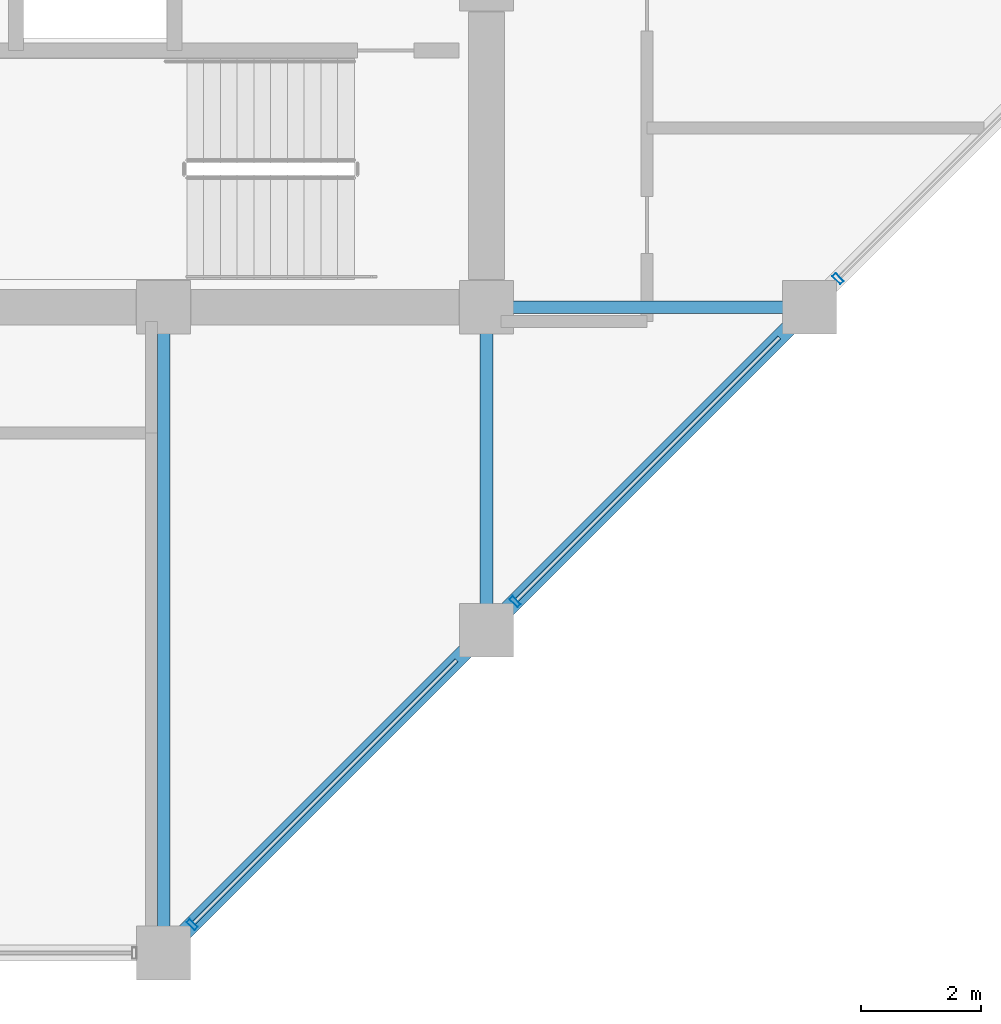
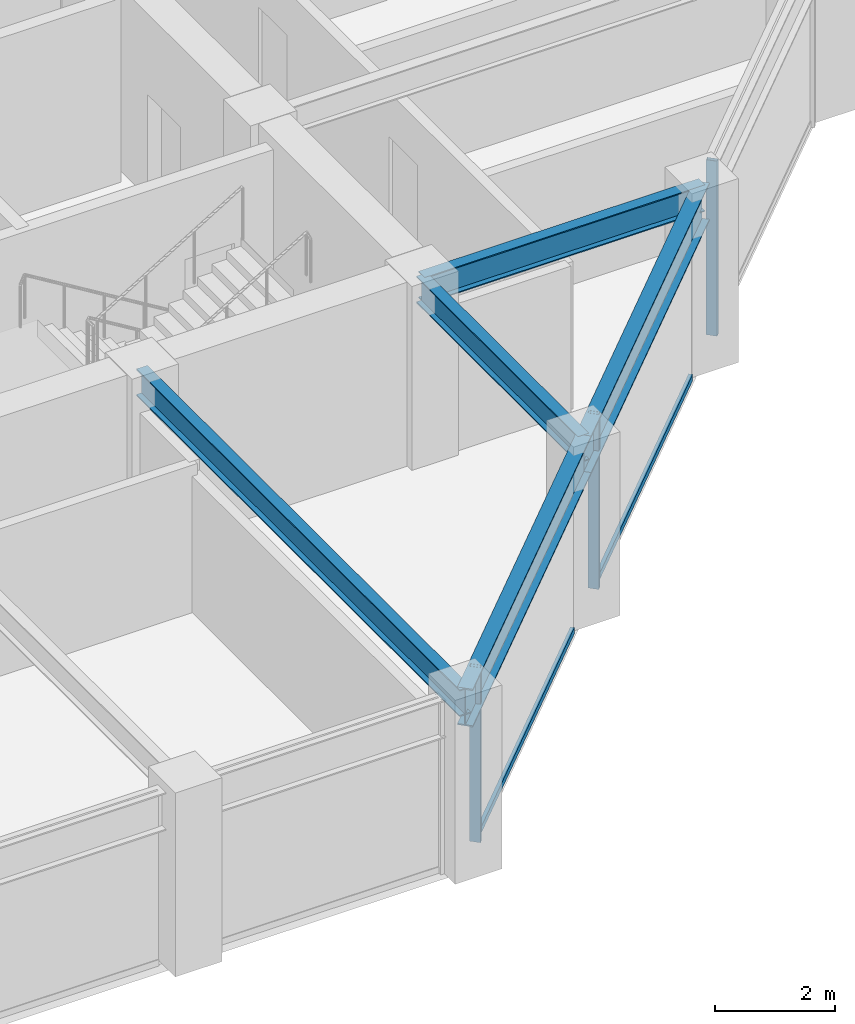
# One storey, part 12 of 32: 5 beams, 5 members, 1 element without a shape of its own.
"""IFC4 building model written with IfcOpenShell, lengths in metres."""

import ifcopenshell
import ifcopenshell.guid

model = None  # the IFC model being written
_history = None  # IfcOwnerHistory: only IFC2X3 demands one
_inside = {}  # id of a spatial element -> (the spatial element, [elements in it])
_under = {}  # id of a project, library or spatial element -> (it, [spatial elements below it])
_declared = {}  # id of a project -> (the project, [libraries it declares])
_typed = {}  # id of a type object -> (the type object, [elements of that type])
_made_of = {}  # id of a material, layer set ... -> (it, [elements and type objects made of it])


def new_model(schema):
    """Start an empty IFC model of exactly this schema.

    Asked for "IFC4X3", IfcOpenShell would pick the latest addendum, in which some entities
    have other attributes; the version numbers below select the first issue.
    IFC2X3 requires an IfcOwnerHistory on every rooted entity: one is made here for all.
    """
    global model, _history
    if schema == "IFC4X3":
        model = ifcopenshell.file(schema_version=(4, 3, 0, 0))
    else:
        model = ifcopenshell.file(schema=schema)
    _inside.clear()
    _under.clear()
    _declared.clear()
    _typed.clear()
    _made_of.clear()
    _history = None
    if model.schema == "IFC2X3":
        org = make("IfcOrganization", Name="unknown")
        user = make(
            "IfcPersonAndOrganization",
            ThePerson=make("IfcPerson", FamilyName="unknown"),
            TheOrganization=org,
        )
        app = make(
            "IfcApplication",
            ApplicationDeveloper=org,
            Version="unknown",
            ApplicationFullName="unknown",
            ApplicationIdentifier="unknown",
        )
        _history = make(
            "IfcOwnerHistory",
            OwningUser=user,
            OwningApplication=app,
            ChangeAction="ADDED",
            CreationDate=0,
        )
    return model


def make(cls, **values):
    """One entity of the class cls with the attributes given. An attribute that is None is left unset."""
    return model.create_entity(
        cls, **{name: value for name, value in values.items() if value is not None}
    )


def rooted(cls, **values):
    """An entity with a GlobalId (a new one), such as an element, a storey or a relation."""
    return make(cls, GlobalId=ifcopenshell.guid.new(), OwnerHistory=_history, **values)


def si_unit(unit_type, name, prefix=None):
    """IfcSIUnit, for example si_unit("LENGTHUNIT", "METRE", prefix="MILLI")."""
    return make("IfcSIUnit", UnitType=unit_type, Prefix=prefix, Name=name)


def assignment(units):
    """IfcUnitAssignment: the units of a project."""
    return None if units is None else make("IfcUnitAssignment", Units=units)


def point(xyz):
    """IfcCartesianPoint."""
    return None if xyz is None else make("IfcCartesianPoint", Coordinates=xyz)


def direction(xyz):
    """IfcDirection."""
    return None if xyz is None else make("IfcDirection", DirectionRatios=xyz)


def frame(location, z_axis=None, x_axis=None):
    """IfcAxis2Placement3D, a coordinate frame: its origin and axes. An axis left out is left unset."""
    return make(
        "IfcAxis2Placement3D",
        Location=point(location),
        Axis=direction(z_axis),
        RefDirection=direction(x_axis),
    )


def frame_2d(location, x_axis=None):
    """IfcAxis2Placement2D, a coordinate frame in the plane: its origin and x axis."""
    return make(
        "IfcAxis2Placement2D", Location=point(location), RefDirection=direction(x_axis)
    )


def origin():
    """The frame at (0, 0, 0) with its axes left unset."""
    return frame((0.0, 0.0, 0.0))


def origin_2d():
    """The frame at (0, 0) in the plane with its x axis left unset."""
    return frame_2d((0.0, 0.0))


def place(relative_to, where):
    """IfcLocalPlacement: puts the frame where relative to a parent placement (None: the world)."""
    return make(
        "IfcLocalPlacement", PlacementRelTo=relative_to, RelativePlacement=where
    )


def context(
    kind, dimensions, precision=None, world=None, true_north=None, identifier=None
):
    """IfcGeometricRepresentationContext, for example the 3D "Model" context."""
    return make(
        "IfcGeometricRepresentationContext",
        ContextIdentifier=identifier,
        ContextType=kind,
        CoordinateSpaceDimension=dimensions,
        Precision=precision,
        WorldCoordinateSystem=world,
        TrueNorth=true_north,
    )


def subcontext(parent, identifier, kind, view, scale=None):
    """IfcGeometricRepresentationSubContext, for example "Body" below "Model"."""
    return make(
        "IfcGeometricRepresentationSubContext",
        ContextIdentifier=identifier,
        ContextType=kind,
        ParentContext=parent,
        TargetScale=scale,
        TargetView=view,
    )


def project(units=None, contexts=None):
    """IfcProject with its units and contexts."""
    return rooted(
        "IfcProject",
        Name="project",
        RepresentationContexts=contexts,
        UnitsInContext=assignment(units),
    )


def spatial(cls, under=None, at=None, **own):
    """A site, building, storey or space (cls), placed at a placement, below another one or the project."""
    s = rooted(cls, ObjectPlacement=at, **own)
    if under is not None:
        _under.setdefault(under.id(), (under, []))[1].append(s)
    return s


def profile(cls, at=None, kind="AREA", **sizes):
    """A parametric profile (cls). Its sizes go by their IFC names, for example OverallWidth=200.0."""
    return make(cls, ProfileType=kind, Position=at, **sizes)


def hollow_rectangle(**sizes):
    """IfcRectangleHollowProfileDef."""
    return profile("IfcRectangleHollowProfileDef", **sizes)


def i_section(**sizes):
    """IfcIShapeProfileDef."""
    return profile("IfcIShapeProfileDef", **sizes)


def extrude(swept, where, along, depth):
    """IfcExtrudedAreaSolid: the profile swept, set in the frame where, extruded along a direction by depth."""
    return make(
        "IfcExtrudedAreaSolid",
        SweptArea=swept,
        Position=where,
        ExtrudedDirection=direction(along),
        Depth=depth,
    )


def shape(context_of_items, identifier, shape_type, items):
    """IfcShapeRepresentation: the items that make up one representation, for example the "Body"."""
    return make(
        "IfcShapeRepresentation",
        ContextOfItems=context_of_items,
        RepresentationIdentifier=identifier,
        RepresentationType=shape_type,
        Items=items,
    )


def material(Name=None, Category=None):
    """IfcMaterial."""
    return make("IfcMaterial", Name=Name, Category=Category)


def layer(
    of_material, thickness, ventilated=None, Name=None, Category=None, Priority=None
):
    """IfcMaterialLayer: one layer of a wall or slab, of a material (None: an air gap)."""
    return make(
        "IfcMaterialLayer",
        Material=of_material,
        LayerThickness=thickness,
        IsVentilated=ventilated,
        Name=Name,
        Category=Category,
        Priority=Priority,
    )


def layer_set(layers, Name=None):
    """IfcMaterialLayerSet."""
    return make("IfcMaterialLayerSet", MaterialLayers=layers, LayerSetName=Name)


def material_profile(
    of_material, cross_section, Name=None, Category=None, Priority=None
):
    """IfcMaterialProfile: a cross section and its material."""
    return make(
        "IfcMaterialProfile",
        Name=Name,
        Material=of_material,
        Profile=cross_section,
        Priority=Priority,
        Category=Category,
    )


def profile_set(profiles, Name=None, composite=None):
    """IfcMaterialProfileSet."""
    return make(
        "IfcMaterialProfileSet",
        Name=Name,
        MaterialProfiles=profiles,
        CompositeProfile=composite,
    )


def made_of(thing, what):
    """Note that an element or type object is made of a material, layer set ...; save() writes the relation."""
    if what is not None:
        _made_of.setdefault(what.id(), (what, []))[1].append(thing)
    return thing


def type_object(cls, material=None, **own):
    """A type object (cls), such as IfcWallType, which elements share."""
    return made_of(rooted(cls, **own), material)


def element(
    cls,
    number,
    at=None,
    inside=None,
    cuts=None,
    type_object=None,
    material=None,
    context=None,
    identifier="Body",
    shape_type=None,
    held_by="IfcProductDefinitionShape",
    body=None,
    shapes=None,
    **own,
):
    """One element of the class cls, such as IfcWall. Its Tag is "e" and its number.

    at: its placement. inside: the storey or other place that contains it. cuts: it is an
    opening in that element (IfcRelVoidsElement). A single representation is given by context,
    identifier, shape_type and body (its items); several are given by shapes. held_by: the class
    of the entity that holds the representations. save() writes the other relations.
    """
    e = rooted(cls, Tag="e%d" % number, ObjectPlacement=at, **own)
    if body is not None:
        shapes = [shape(context, identifier, shape_type, body)]
    if shapes is not None:
        e.Representation = make(held_by, Representations=shapes)
    if inside is not None:
        _inside.setdefault(inside.id(), (inside, []))[1].append(e)
    if cuts is not None:
        rooted(
            "IfcRelVoidsElement", RelatingBuildingElement=cuts, RelatedOpeningElement=e
        )
    if type_object is not None:
        _typed.setdefault(type_object.id(), (type_object, []))[1].append(e)
    return made_of(e, material)


def aggregate(whole, parts):
    """IfcRelAggregates: a whole, such as a stair, and the parts it consists of."""
    return rooted("IfcRelAggregates", RelatingObject=whole, RelatedObjects=parts)


def save(model, path):
    """Write the relations noted so far, then the file.

    IfcRelAggregates (storeys below a building ...), IfcRelContainedInSpatialStructure (elements
    in a storey), IfcRelDefinesByType, IfcRelAssociatesMaterial and IfcRelDeclares: one each for
    every whole, place, type object, material and project.
    """
    for whole, parts in _under.values():
        aggregate(whole, parts)
    for where, things in _inside.values():
        rooted(
            "IfcRelContainedInSpatialStructure",
            RelatedElements=things,
            RelatingStructure=where,
        )
    for kind, things in _typed.values():
        rooted("IfcRelDefinesByType", RelatedObjects=things, RelatingType=kind)
    for what, things in _made_of.values():
        rooted("IfcRelAssociatesMaterial", RelatedObjects=things, RelatingMaterial=what)
    for by, libraries in _declared.values():
        rooted("IfcRelDeclares", RelatingContext=by, RelatedDefinitions=libraries)
    model.write(path)


model = new_model("IFC4")

# Units and contexts
model_context = context("Model", 3, precision=1e-05, world=origin(), true_north=direction((0.0, 1.0)))
body_context = subcontext(model_context, "Body", "Model", "MODEL_VIEW")
ifc_project = project(units=[si_unit("LENGTHUNIT", "METRE"), si_unit("AREAUNIT", "SQUARE_METRE"), si_unit("VOLUMEUNIT", "CUBIC_METRE"), si_unit("PLANEANGLEUNIT", "RADIAN"), si_unit("MASSUNIT", "GRAM", prefix="KILO")], contexts=[model_context])

# Site, building, storey
site_placement = place(None, origin())
site = spatial("IfcSite", under=ifc_project, at=site_placement, CompositionType="ELEMENT")
building_placement = place(site_placement, origin())
building = spatial("IfcBuilding", under=site, at=building_placement, Name="Surkhivell Harbour Commons", CompositionType="ELEMENT")
storey_placement = place(building_placement, frame((0.0, 0.0, 208.5)))
storey = spatial("IfcBuildingStorey", under=building, at=storey_placement, Name="L54", CompositionType="ELEMENT", Elevation=208.5)

# Beams
ifc_material_1 = material(Name="Steel S355", Category="steel")
ifc_material_profile_1 = material_profile(ifc_material_1, i_section(OverallWidth=0.2119140625, OverallDepth=0.5439453125, WebThickness=0.0126953125, FlangeThickness=0.021240234375, at=origin_2d()), Name="UB533x210x122")
ifc_profile_set_1 = profile_set([ifc_material_profile_1], Name="Steel S355")
beam_type_1 = type_object("IfcBeamType", Name="BM-GRD-533A", PredefinedType="BEAM", material=ifc_profile_set_1)
beam_1_placement = place(storey_placement, frame((5.39990234375, -21.60009765625, 3.298095703125), z_axis=(0.0, 1.0, 0.0), x_axis=(-1.0, 0.0, 0.0)))
element("IfcBeam", 1, at=beam_1_placement, inside=storey, type_object=beam_type_1, Name="L54 Floor Girder (5.4,-21.6)", PredefinedType="BEAM", context=body_context, shape_type="SweptSolid", body=[
    extrude(i_section(OverallWidth=0.2119140625, OverallDepth=0.5439453125, WebThickness=0.0126953125, FlangeThickness=0.021240234375, at=origin_2d()), origin(), (0.0, 0.0, 1.0), 10.800048828125),
])
for number, where, z_axis, x_axis, name in (
    (2, (10.800048828125, -16.199951171875, 3.298095703125), (0.0, 1.0, 0.0), (-1.0, 0.0, 0.0), "L54 Floor Girder (10.8,-16.2)"),
    (3, (10.800048828125, -10.800048828125, 3.298095703125), (1.0, 0.0, 0.0), (0.0, 1.0, 0.0), "L54 Floor Girder (10.8,-10.8)"),
):
    element("IfcBeam", number, at=place(storey_placement, frame(where, z_axis=z_axis, x_axis=x_axis)), inside=storey, type_object=beam_type_1, Name=name, PredefinedType="BEAM", context=body_context, shape_type="SweptSolid", body=[
        extrude(i_section(OverallWidth=0.2119140625, OverallDepth=0.5439453125, WebThickness=0.0126953125, FlangeThickness=0.021240234375, at=origin_2d()), origin(), (0.0, 0.0, 1.0), 5.39990234375),
    ])
ifc_material_profile_2 = material_profile(ifc_material_1, i_section(OverallWidth=0.26806640625, OverallDepth=0.77001953125, WebThickness=0.015625, FlangeThickness=0.025390625, at=origin_2d()), Name="UB762x267x197")
ifc_profile_set_2 = profile_set([ifc_material_profile_2], Name="Steel S355")
beam_type_2 = type_object("IfcBeamType", Name="BM-SPN-762", PredefinedType="SPANDREL", material=ifc_profile_set_2)
beam_2_placement = place(storey_placement, frame((5.39990234375, -21.60009765625, 3.18505859375), z_axis=(0.707106781187, 0.707106781187, 0.0), x_axis=(-0.707106781187, 0.707106781187, 0.0)))
element("IfcBeam", 4, at=beam_2_placement, inside=storey, type_object=beam_type_2, Name="L54 Tube Spandrel (5.4,-21.6)", PredefinedType="SPANDREL", context=body_context, shape_type="SweptSolid", body=[
    extrude(i_section(OverallWidth=0.26806640625, OverallDepth=0.77001953125, WebThickness=0.015625, FlangeThickness=0.025390625, at=origin_2d()), origin(), (0.0, 0.0, 1.0), 7.636962890625),
])
beam_3_placement = place(storey_placement, frame((10.800048828125, -16.199951171875, 3.18505859375), z_axis=(0.707106781187, 0.707106781187, 0.0), x_axis=(-0.707106781187, 0.707106781187, 0.0)))
element("IfcBeam", 5, at=beam_3_placement, inside=storey, type_object=beam_type_2, Name="L54 Tube Spandrel (10.8,-16.2)", PredefinedType="SPANDREL", context=body_context, shape_type="SweptSolid", body=[
    extrude(i_section(OverallWidth=0.26806640625, OverallDepth=0.77001953125, WebThickness=0.015625, FlangeThickness=0.025390625, at=origin_2d()), origin(), (0.0, 0.0, 1.0), 7.63671875),
])

# Curtain wall, members
ifc_material_2 = material(Name="Anodised pale-metal aluminium and insulated glazing", Category="aluminium")
ifc_layer = layer(ifc_material_2, 0.18994140625)
ifc_layer_set = layer_set([ifc_layer], Name="Anodised pale-metal aluminium and insulated glazing")
curtain_wall_type = type_object("IfcCurtainWallType", Name="CW-SYS-Z3", PredefinedType="NOTDEFINED", material=ifc_layer_set)
curtain_wall_placement = place(storey_placement, origin())
curtain_wall = element("IfcCurtainWall", 6, at=curtain_wall_placement, inside=storey, type_object=curtain_wall_type, Name="L54 Curtain Wall CW-L54-E01", PredefinedType="NOTDEFINED")
ifc_material_3 = material(Name="Anodised pale-metal aluminium alloy 6063-T6", Category="aluminium")
ifc_material_profile_3 = material_profile(ifc_material_3, hollow_rectangle(XDim=0.074951171875, YDim=0.18994140625, WallThickness=0.00390625, at=origin_2d()), Name="ALU-MULL-75x190")
ifc_profile_set_3 = profile_set([ifc_material_profile_3], Name="Anodised pale-metal aluminium alloy 6063-T6")
member_type_1 = type_object("IfcMemberType", Name="CWM-190", PredefinedType="MULLION", material=ifc_profile_set_3)
member_1_placement = place(storey_placement, frame((5.878173828125, -21.121826171875, 0.0), z_axis=(0.0, 0.0, 1.0), x_axis=(0.707106781187, 0.707106781187, 0.0)))
member_1 = element("IfcMember", 7, at=member_1_placement, type_object=member_type_1, Name="CW-Z3 mullion 1", PredefinedType="MULLION", context=body_context, shape_type="SweptSolid", body=[
    extrude(hollow_rectangle(XDim=0.074951171875, YDim=0.18994140625, WallThickness=0.00390625, at=origin_2d()), origin(), (0.0, 0.0, 1.0), 3.570068359375),
])
member_2_placement = place(storey_placement, frame((11.278076171875, -15.721923828125, 0.0), z_axis=(0.0, 0.0, 1.0), x_axis=(0.707106781187, 0.707106781187, 0.0)))
member_2 = element("IfcMember", 8, at=member_2_placement, type_object=member_type_1, Name="CW-Z3 mullion 2", PredefinedType="MULLION", context=body_context, shape_type="SweptSolid", body=[
    extrude(hollow_rectangle(XDim=0.074951171875, YDim=0.18994140625, WallThickness=0.00390625, at=origin_2d()), origin(), (0.0, 0.0, 1.0), 3.570068359375),
])
member_3_placement = place(storey_placement, frame((16.67822265625, -10.32177734375, 0.0), z_axis=(0.0, 0.0, 1.0), x_axis=(0.707106781187, 0.707106781187, 0.0)))
member_3 = element("IfcMember", 9, at=member_3_placement, type_object=member_type_1, Name="CW-Z3 mullion 3", PredefinedType="MULLION", context=body_context, shape_type="SweptSolid", body=[
    extrude(hollow_rectangle(XDim=0.074951171875, YDim=0.18994140625, WallThickness=0.00390625, at=origin_2d()), origin(), (0.0, 0.0, 1.0), 3.570068359375),
])
ifc_material_4 = material(Name="Champagne anodised aluminium alloy 6063-T6", Category="aluminium")
ifc_material_profile_4 = material_profile(ifc_material_4, hollow_rectangle(XDim=0.070068359375, YDim=0.1298828125, WallThickness=0.00341796875, at=origin_2d()), Name="ALU-TRAN-70x130")
ifc_profile_set_4 = profile_set([ifc_material_profile_4], Name="Champagne anodised aluminium alloy 6063-T6")
member_type_2 = type_object("IfcMemberType", Name="CWT-130", PredefinedType="USERDEFINED", material=ifc_profile_set_4)
member_4_placement = place(storey_placement, frame((5.90478515625, -21.09521484375, 0.06494140625), z_axis=(0.707106781187, 0.707106781187, 0.0), x_axis=(-0.707106781187, 0.707106781187, 0.0)))
member_4 = element("IfcMember", 10, at=member_4_placement, type_object=member_type_2, Name="CW-Z3 transom 1.1", ObjectType="TRANSOM", PredefinedType="USERDEFINED", context=body_context, shape_type="SweptSolid", body=[
    extrude(hollow_rectangle(XDim=0.070068359375, YDim=0.1298828125, WallThickness=0.00341796875, at=origin_2d()), origin(), (0.0, 0.0, 1.0), 6.209228515625),
])
member_5_placement = place(storey_placement, frame((11.3046875, -15.6953125, 0.06494140625), z_axis=(0.707106781187, 0.707106781187, 0.0), x_axis=(-0.707106781187, 0.707106781187, 0.0)))
member_5 = element("IfcMember", 11, at=member_5_placement, type_object=member_type_2, Name="CW-Z3 transom 2.1", ObjectType="TRANSOM", PredefinedType="USERDEFINED", context=body_context, shape_type="SweptSolid", body=[
    extrude(hollow_rectangle(XDim=0.070068359375, YDim=0.1298828125, WallThickness=0.00341796875, at=origin_2d()), origin(), (0.0, 0.0, 1.0), 6.209228515625),
])
aggregate(curtain_wall, [member_1, member_4, member_2, member_5, member_3])

save(model, "model.ifc")
